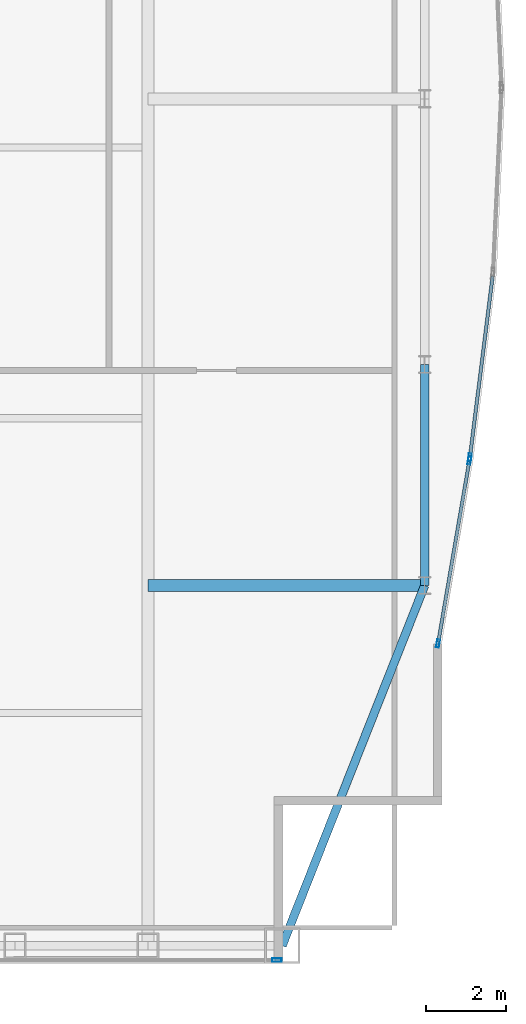
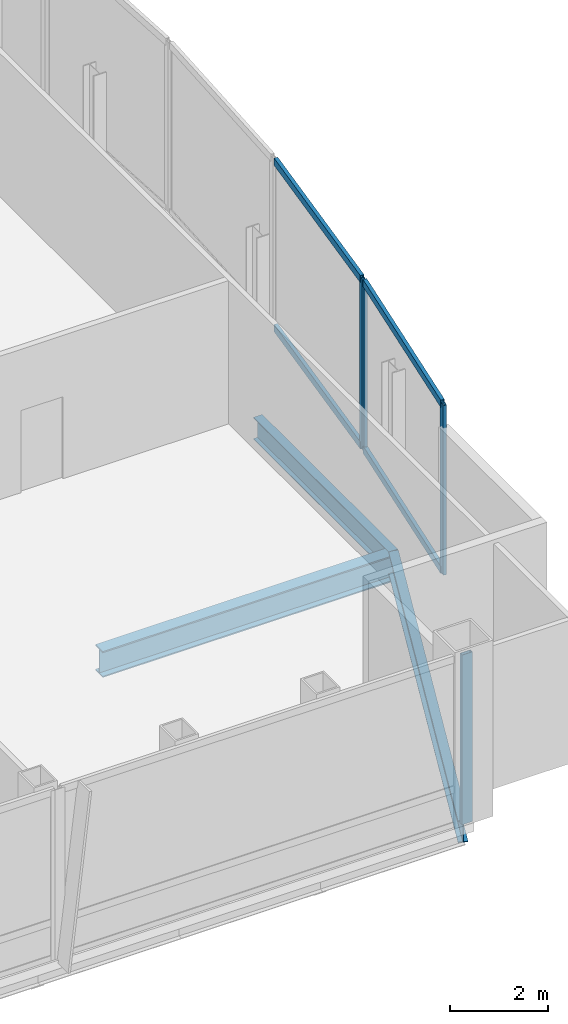
# One storey, part 14 of 27: 8 members, 3 beams, 3 elements without a shape of their own.
"""IFC4 building model written with IfcOpenShell, lengths in metres."""

from ifc_helpers import new_model, si_unit, direction, frame, origin, origin_2d, place, context, subcontext, project, spatial, hollow_rectangle, i_section, extrude, material, material_profile, profile_set, type_object, element, aggregate, save


model = new_model("IFC4")

# Units and contexts
model_context = context("Model", 3, precision=1e-05, world=origin(), true_north=direction((0.0, 1.0)))
body_context = subcontext(model_context, "Body", "Model", "MODEL_VIEW")
ifc_project = project(units=[si_unit("LENGTHUNIT", "METRE"), si_unit("AREAUNIT", "SQUARE_METRE"), si_unit("VOLUMEUNIT", "CUBIC_METRE"), si_unit("PLANEANGLEUNIT", "RADIAN"), si_unit("MASSUNIT", "GRAM", prefix="KILO")], contexts=[model_context])

# Site, building, storey
site_placement = place(None, origin())
site = spatial("IfcSite", under=ifc_project, at=site_placement, CompositionType="ELEMENT")
building_placement = place(site_placement, origin())
building = spatial("IfcBuilding", under=site, at=building_placement, Name="Khoronbel Lancet Exchange", CompositionType="ELEMENT")
storey_placement = place(building_placement, frame((0.0, 0.0, 305.800048828125)))
storey = spatial("IfcBuildingStorey", under=building, at=storey_placement, Name="L79", CompositionType="ELEMENT", Elevation=305.800048828125)

# Beams
ifc_material_1 = material(Name="Steel S355", Category="steel")
ifc_material_profile_1 = material_profile(ifc_material_1, i_section(OverallWidth=0.300048828125, OverallDepth=0.64990234375, WebThickness=0.01611328125, FlangeThickness=0.031005859375, at=origin_2d()), Name="HEB 650")
ifc_profile_set_1 = profile_set([ifc_material_profile_1], Name="Steel S355")
beam_type_1 = type_object("IfcBeamType", Name="BM-BG4", PredefinedType="BEAM", material=ifc_profile_set_1)
beam_1_placement = place(storey_placement, frame((54.675048828125, 19.199951171875, -0.545166015625), z_axis=(1.0, 0.0, 0.0), x_axis=(0.0, 1.0, 0.0)))
element("IfcBeam", 1, at=beam_1_placement, inside=storey, type_object=beam_type_1, Name="Level L79 east lens tie girder LG1E", PredefinedType="BEAM", context=body_context, shape_type="SweptSolid", body=[
    extrude(i_section(OverallWidth=0.300048828125, OverallDepth=0.64990234375, WebThickness=0.01611328125, FlangeThickness=0.031005859375, at=origin_2d()), origin(), (0.0, 0.0, 1.0), 6.954833984375),
])
ifc_material_profile_2 = material_profile(ifc_material_1, i_section(OverallWidth=0.2099609375, OverallDepth=0.550048828125, WebThickness=0.010986328125, FlangeThickness=0.01708984375, at=origin_2d()), Name="IPE 550")
ifc_profile_set_2 = profile_set([ifc_material_profile_2], Name="Steel S355")
beam_type_2 = type_object("IfcBeamType", Name="BM-BSP3", PredefinedType="SPANDREL", material=ifc_profile_set_2)
beam_2_placement = place(storey_placement, frame((58.050048828125, 10.14990234375, -0.4951171875), z_axis=(0.367828403855, 0.929893684954, 0.0), x_axis=(-0.929893684954, 0.367828403855, 0.0)))
element("IfcBeam", 2, at=beam_2_placement, inside=storey, type_object=beam_type_2, Name="Level L79 perimeter spandrel beam SP08", PredefinedType="SPANDREL", context=body_context, shape_type="SweptSolid", body=[
    extrude(i_section(OverallWidth=0.2099609375, OverallDepth=0.550048828125, WebThickness=0.010986328125, FlangeThickness=0.01708984375, at=origin_2d()), origin(), (0.0, 0.0, 1.0), 9.732421875),
])
beam_3_placement = place(storey_placement, frame((61.6298828125, 19.199951171875, -0.4951171875), z_axis=(0.0, 1.0, 0.0), x_axis=(-1.0, 0.0, 0.0)))
element("IfcBeam", 3, at=beam_3_placement, inside=storey, type_object=beam_type_2, Name="Level L79 perimeter spandrel beam SP09", PredefinedType="SPANDREL", context=body_context, shape_type="SweptSolid", body=[
    extrude(i_section(OverallWidth=0.2099609375, OverallDepth=0.550048828125, WebThickness=0.010986328125, FlangeThickness=0.01708984375, at=origin_2d()), origin(), (0.0, 0.0, 1.0), 5.550048828125),
])

# Curtain wall, member
ifc_material_2 = material(Name="Low-E Solar Control Insulating Glass", Category="glass")
curtain_wall_type_1 = type_object("IfcCurtainWallType", Name="CW-3", PredefinedType="NOTDEFINED", material=ifc_material_2)
curtain_wall_1_placement = place(storey_placement, origin())
curtain_wall_1 = element("IfcCurtainWall", 4, at=curtain_wall_1_placement, inside=storey, type_object=curtain_wall_type_1, Name="Unitised curtain wall CW-L79-SE-WING", PredefinedType="NOTDEFINED")
ifc_material_3 = material(Name="Bronze-Anodised Aluminium 6063-T6", Category="aluminium")
ifc_material_profile_3 = material_profile(ifc_material_3, hollow_rectangle(XDim=0.0849609375, YDim=0.239990234375, WallThickness=0.006103515625, at=origin_2d()), Name="ALU MULLION 85x240")
ifc_profile_set_3 = profile_set([ifc_material_profile_3], Name="Bronze-Anodised Aluminium 6063-T6")
member_type_1 = type_object("IfcMemberType", Name="MEM-CWM1", PredefinedType="MULLION", material=ifc_profile_set_3)
member_1_placement = place(storey_placement, frame((57.91748046875, 9.7900390625, 0.0), z_axis=(0.0, 0.0, 1.0), x_axis=(0.0, 1.0, 0.0)))
member_1 = element("IfcMember", 5, at=member_1_placement, type_object=member_type_1, Name="CW3 mullion 2", PredefinedType="MULLION", context=body_context, shape_type="SweptSolid", body=[
    extrude(hollow_rectangle(XDim=0.0849609375, YDim=0.239990234375, WallThickness=0.006103515625, at=origin_2d()), origin(), (0.0, 0.0, 1.0), 4.239990234375),
])
aggregate(curtain_wall_1, [member_1])

curtain_wall_type_2 = type_object("IfcCurtainWallType", Name="CW-4", PredefinedType="NOTDEFINED", material=ifc_material_2)
curtain_wall_2_placement = place(storey_placement, origin())
curtain_wall_2 = element("IfcCurtainWall", 6, at=curtain_wall_2_placement, inside=storey, type_object=curtain_wall_type_2, Name="Unitised curtain wall CW-L79-E21", PredefinedType="NOTDEFINED")
ifc_material_profile_4 = material_profile(ifc_material_3, hollow_rectangle(XDim=0.074951171875, YDim=0.199951171875, WallThickness=0.0048828125, at=origin_2d()), Name="ALU MULLION 75x200")
ifc_profile_set_4 = profile_set([ifc_material_profile_4], Name="Bronze-Anodised Aluminium 6063-T6")
member_type_2 = type_object("IfcMemberType", Name="MEM-CWM2", PredefinedType="MULLION", material=ifc_profile_set_4)
member_2_placement = place(storey_placement, frame((62.765625, 22.4169921875, 0.0), z_axis=(0.0, 0.0, 1.0), x_axis=(0.992218486687, -0.124508934127, 0.0)))
member_2 = element("IfcMember", 7, at=member_2_placement, type_object=member_type_2, Name="CW4 mullion 2", PredefinedType="MULLION", context=body_context, shape_type="SweptSolid", body=[
    extrude(hollow_rectangle(XDim=0.074951171875, YDim=0.199951171875, WallThickness=0.0048828125, at=origin_2d()), origin(), (0.0, 0.0, 1.0), 4.239990234375),
])

# Curtain wall, members
curtain_wall_3_placement = place(storey_placement, origin())
curtain_wall_3 = element("IfcCurtainWall", 8, at=curtain_wall_3_placement, inside=storey, type_object=curtain_wall_type_2, Name="Unitised curtain wall CW-L79-E22", PredefinedType="NOTDEFINED")
member_3_placement = place(storey_placement, frame((62.754638671875, 22.343017578125, 0.0), z_axis=(0.0, 0.0, 1.0), x_axis=(0.985620448013, -0.168974354443, 0.0)))
member_3 = element("IfcMember", 9, at=member_3_placement, type_object=member_type_2, Name="CW4 mullion 1", PredefinedType="MULLION", context=body_context, shape_type="SweptSolid", body=[
    extrude(hollow_rectangle(XDim=0.074951171875, YDim=0.199951171875, WallThickness=0.0048828125, at=origin_2d()), origin(), (0.0, 0.0, 1.0), 4.239990234375),
])
member_4_placement = place(storey_placement, frame((61.96630859375, 17.74462890625, 0.0), z_axis=(0.0, 0.0, 1.0), x_axis=(0.985620448013, -0.168974354443, 0.0)))
member_4 = element("IfcMember", 10, at=member_4_placement, type_object=member_type_2, Name="CW4 mullion 2", PredefinedType="MULLION", context=body_context, shape_type="SweptSolid", body=[
    extrude(hollow_rectangle(XDim=0.074951171875, YDim=0.199951171875, WallThickness=0.0048828125, at=origin_2d()), origin(), (0.0, 0.0, 1.0), 4.239990234375),
])

# Member
ifc_material_profile_5 = material_profile(ifc_material_3, hollow_rectangle(XDim=0.0849609375, YDim=0.179931640625, WallThickness=0.0048828125, at=origin_2d()), Name="ALU TRANSOM 85x180")
ifc_profile_set_5 = profile_set([ifc_material_profile_5], Name="Bronze-Anodised Aluminium 6063-T6")
member_type_3 = type_object("IfcMemberType", Name="MEM-CWT1", PredefinedType="USERDEFINED", material=ifc_profile_set_5)
member_5_placement = place(storey_placement, frame((63.336669921875, 26.966552734375, 0.04248046875), z_axis=(-0.124550097573, -0.992213320408, 0.0), x_axis=(0.992213320408, -0.124550097573, 0.0)))
member_5 = element("IfcMember", 11, at=member_5_placement, type_object=member_type_3, Name="CW4 transom 1.1", ObjectType="TRANSOM", PredefinedType="USERDEFINED", context=body_context, shape_type="SweptSolid", body=[
    extrude(hollow_rectangle(XDim=0.0849609375, YDim=0.179931640625, WallThickness=0.0048828125, at=origin_2d()), origin(), (0.0, 0.0, 1.0), 4.547607421875),
])

member_6_placement = place(storey_placement, frame((63.336669921875, 26.966552734375, 4.197509765625), z_axis=(-0.124550097573, -0.992213320408, 0.0), x_axis=(0.992213320408, -0.124550097573, 0.0)))
member_6 = element("IfcMember", 12, at=member_6_placement, type_object=member_type_3, Name="CW4 transom 1.2", ObjectType="TRANSOM", PredefinedType="USERDEFINED", context=body_context, shape_type="SweptSolid", body=[
    extrude(hollow_rectangle(XDim=0.0849609375, YDim=0.179931640625, WallThickness=0.0048828125, at=origin_2d()), origin(), (0.0, 0.0, 1.0), 4.547607421875),
])

aggregate(curtain_wall_2, [member_2, member_5, member_6])

member_7_placement = place(storey_placement, frame((62.748291015625, 22.305908203125, 0.04248046875), z_axis=(-0.168977101458, -0.985619977062, 0.0), x_axis=(0.985619977062, -0.168977101458, 0.0)))
member_7 = element("IfcMember", 13, at=member_7_placement, type_object=member_type_3, Name="CW4 transom 1.1", ObjectType="TRANSOM", PredefinedType="USERDEFINED", context=body_context, shape_type="SweptSolid", body=[
    extrude(hollow_rectangle(XDim=0.0849609375, YDim=0.179931640625, WallThickness=0.0048828125, at=origin_2d()), origin(), (0.0, 0.0, 1.0), 4.590087890625),
])

member_8_placement = place(storey_placement, frame((62.748291015625, 22.305908203125, 4.197509765625), z_axis=(-0.168977101458, -0.985619977062, 0.0), x_axis=(0.985619977062, -0.168977101458, 0.0)))
member_8 = element("IfcMember", 14, at=member_8_placement, type_object=member_type_3, Name="CW4 transom 1.2", ObjectType="TRANSOM", PredefinedType="USERDEFINED", context=body_context, shape_type="SweptSolid", body=[
    extrude(hollow_rectangle(XDim=0.0849609375, YDim=0.179931640625, WallThickness=0.0048828125, at=origin_2d()), origin(), (0.0, 0.0, 1.0), 4.590087890625),
])

aggregate(curtain_wall_3, [member_3, member_4, member_7, member_8])

save(model, "model.ifc")
